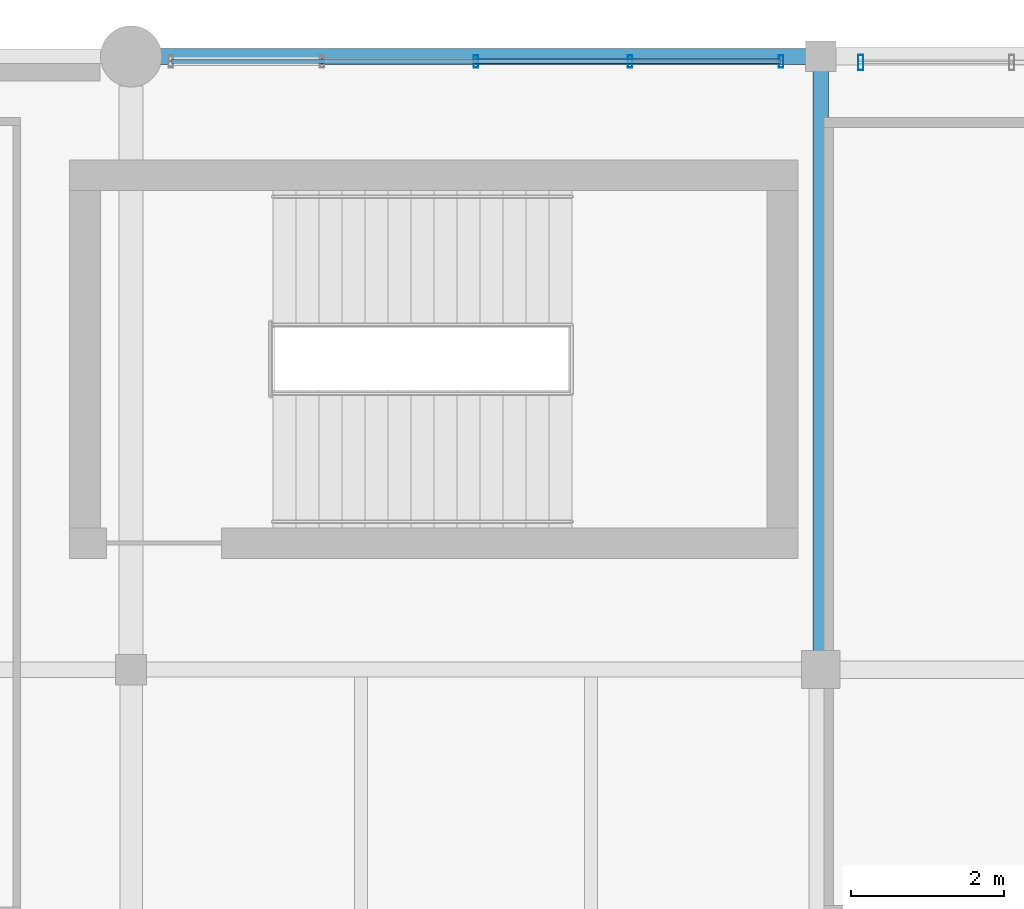
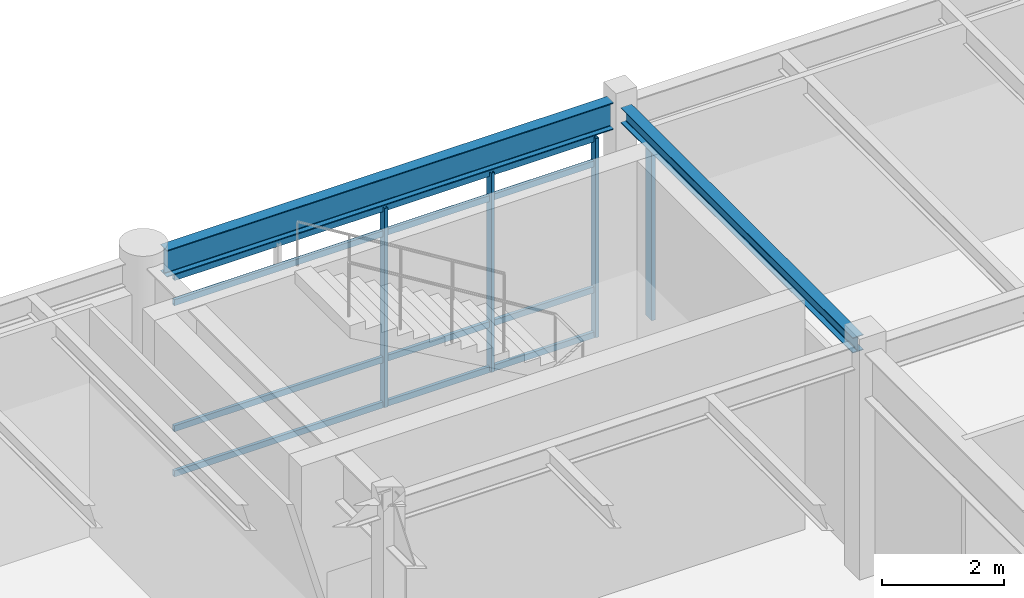
# One storey, part 72 of 200: 8 members, 2 beams, 2 elements without a shape of their own.
"""IFC4 building model written with IfcOpenShell, lengths in metres."""

from ifc_helpers import new_model, si_unit, direction, frame, origin, origin_2d, place, context, subcontext, project, spatial, hollow_rectangle, i_section, extrude, material, material_profile, profile_set, type_object, element, aggregate, save


model = new_model("IFC4")

# Units and contexts
model_context = context("Model", 3, precision=1e-05, world=origin(), true_north=direction((0.0, 1.0)))
body_context = subcontext(model_context, "Body", "Model", "MODEL_VIEW")
ifc_project = project(units=[si_unit("LENGTHUNIT", "METRE"), si_unit("AREAUNIT", "SQUARE_METRE"), si_unit("VOLUMEUNIT", "CUBIC_METRE"), si_unit("PLANEANGLEUNIT", "RADIAN"), si_unit("MASSUNIT", "GRAM", prefix="KILO"), si_unit("THERMODYNAMICTEMPERATUREUNIT", "KELVIN"), si_unit("POWERUNIT", "WATT")], contexts=[model_context])

# Site, building, storey
site_placement = place(None, origin())
site = spatial("IfcSite", under=ifc_project, at=site_placement, CompositionType="ELEMENT")
building_placement = place(site_placement, origin())
building = spatial("IfcBuilding", under=site, at=building_placement, Name="Tepalcoro Natatorium and Aquatics Centre", CompositionType="ELEMENT")
storey_placement = place(building_placement, frame((0.0, 0.0, 5.39990234375)))
storey = spatial("IfcBuildingStorey", under=building, at=storey_placement, Name="L01", CompositionType="ELEMENT", Elevation=5.39990234375)

# Beam
ifc_material_1 = material(Name="Steel ASTM A992 Grade 50 (Fy 345 MPa)", Category="steel")
ifc_material_profile_1 = material_profile(ifc_material_1, i_section(OverallWidth=0.202880859375, OverallDepth=0.304931640625, WebThickness=0.007080078125, FlangeThickness=0.012939453125, FilletRadius=0.013916015625, at=origin_2d()), Name="W12X40")
ifc_profile_set_1 = profile_set([ifc_material_profile_1], Name="Steel ASTM A992 Grade 50 (Fy 345 MPa)")
beam_type_1 = type_object("IfcBeamType", Name="BM_W12x40", PredefinedType="BEAM", material=ifc_profile_set_1)
beam_1_placement = place(storey_placement, frame((62.0, 110.235107421875, 4.33251953125), z_axis=(0.0, 1.0, 0.0), x_axis=(-1.0, 0.0, 0.0)))
element("IfcBeam", 1, at=beam_1_placement, inside=storey, type_object=beam_type_1, Name="V4 L01 Grid Girder Y", PredefinedType="BEAM", context=body_context, shape_type="SweptSolid", body=[
    extrude(i_section(OverallWidth=0.202880859375, OverallDepth=0.304931640625, WebThickness=0.007080078125, FlangeThickness=0.012939453125, FilletRadius=0.013916015625, at=origin_2d()), origin(), (0.0, 0.0, 1.0), 7.579833984375),
])

# Curtain wall, members
ifc_material_2 = material(Name="Bronze-Anodised Extruded Aluminium Alloy EN AW-6063 T6", Category="aluminium")
curtain_wall_type_1 = type_object("IfcCurtainWallType", Name="CW_V2_DIVING", PredefinedType="USERDEFINED", material=ifc_material_2)
curtain_wall_1_placement = place(storey_placement, origin())
curtain_wall_1 = element("IfcCurtainWall", 2, at=curtain_wall_1_placement, inside=storey, type_object=curtain_wall_type_1, Name="V4 L01 N Unitised Curtain Wall Bay 6", ObjectType="FACETED SOLAR GLAZING", PredefinedType="USERDEFINED")
ifc_material_profile_2 = material_profile(ifc_material_2, hollow_rectangle(XDim=0.06005859375, YDim=0.159912109375, WallThickness=0.00390625, at=origin_2d()), Name="AL60X160X4")
ifc_profile_set_2 = profile_set([ifc_material_profile_2], Name="Bronze-Anodised Extruded Aluminium Alloy EN AW-6063 T6")
member_type_1 = type_object("IfcMemberType", Name="CW_MUL_60x160", PredefinedType="MULLION", material=ifc_profile_set_2)
member_1_placement = place(storey_placement, frame((57.5, 117.93505859375, 0.02001953125), z_axis=(0.0, 0.0, 1.0), x_axis=(1.0, 0.0, 0.0)))
member_1 = element("IfcMember", 3, at=member_1_placement, type_object=member_type_1, Name="CW_V2_DIVING Curtain Wall Mullion", PredefinedType="MULLION", context=body_context, shape_type="SweptSolid", body=[
    extrude(hollow_rectangle(XDim=0.06005859375, YDim=0.159912109375, WallThickness=0.00390625, at=origin_2d()), origin(), (0.0, 0.0, 1.0), 3.97412109375),
])
member_2_placement = place(storey_placement, frame((59.510009765625, 117.93505859375, 0.02001953125), z_axis=(0.0, 0.0, 1.0), x_axis=(1.0, 0.0, 0.0)))
member_2 = element("IfcMember", 4, at=member_2_placement, type_object=member_type_1, Name="CW_V2_DIVING Curtain Wall Mullion", PredefinedType="MULLION", context=body_context, shape_type="SweptSolid", body=[
    extrude(hollow_rectangle(XDim=0.06005859375, YDim=0.159912109375, WallThickness=0.00390625, at=origin_2d()), origin(), (0.0, 0.0, 1.0), 3.97412109375),
])
member_3_placement = place(storey_placement, frame((61.47998046875, 117.93505859375, 0.02001953125), z_axis=(0.0, 0.0, 1.0), x_axis=(1.0, 0.0, 0.0)))
member_3 = element("IfcMember", 5, at=member_3_placement, type_object=member_type_1, Name="CW_V2_DIVING Curtain Wall Mullion", PredefinedType="MULLION", context=body_context, shape_type="SweptSolid", body=[
    extrude(hollow_rectangle(XDim=0.06005859375, YDim=0.159912109375, WallThickness=0.00390625, at=origin_2d()), origin(), (0.0, 0.0, 1.0), 3.97412109375),
])

# Curtain wall, member
curtain_wall_type_2 = type_object("IfcCurtainWallType", Name="CW_V3_FOYER", PredefinedType="USERDEFINED", material=ifc_material_2)
curtain_wall_2_placement = place(storey_placement, origin())
curtain_wall_2 = element("IfcCurtainWall", 6, at=curtain_wall_2_placement, inside=storey, type_object=curtain_wall_type_2, Name="V4 L01 N Unitised Curtain Wall Bay 7", ObjectType="UNITISED STOREFRONT", PredefinedType="USERDEFINED")
ifc_material_profile_3 = material_profile(ifc_material_2, hollow_rectangle(XDim=0.070068359375, YDim=0.199951171875, WallThickness=0.0048828125, at=origin_2d()), Name="AL70X200X5")
ifc_profile_set_3 = profile_set([ifc_material_profile_3], Name="Bronze-Anodised Extruded Aluminium Alloy EN AW-6063 T6")
member_type_2 = type_object("IfcMemberType", Name="CW_MUL_70x200", PredefinedType="MULLION", material=ifc_profile_set_3)
member_4_placement = place(storey_placement, frame((62.52001953125, 117.919921875, 0.02001953125), z_axis=(0.0, 0.0, 1.0), x_axis=(1.0, 0.0, 0.0)))
member_4 = element("IfcMember", 7, at=member_4_placement, type_object=member_type_2, Name="CW_V3_FOYER Curtain Wall Mullion", PredefinedType="MULLION", context=body_context, shape_type="SweptSolid", body=[
    extrude(hollow_rectangle(XDim=0.070068359375, YDim=0.199951171875, WallThickness=0.0048828125, at=origin_2d()), origin(), (0.0, 0.0, 1.0), 3.818115234375),
])
aggregate(curtain_wall_2, [member_4])

# Member
ifc_material_profile_4 = material_profile(ifc_material_2, hollow_rectangle(XDim=0.06005859375, YDim=0.1201171875, WallThickness=0.00390625, at=origin_2d()), Name="AL60X120X4")
ifc_profile_set_4 = profile_set([ifc_material_profile_4], Name="Bronze-Anodised Extruded Aluminium Alloy EN AW-6063 T6")
member_type_3 = type_object("IfcMemberType", Name="CW_TRN_60x120", PredefinedType="USERDEFINED", material=ifc_profile_set_4)
member_5_placement = place(storey_placement, frame((53.530029296875, 117.93505859375, 0.050048828125), z_axis=(1.0, 0.0, 0.0), x_axis=(0.0, 1.0, 0.0)))
member_5 = element("IfcMember", 8, at=member_5_placement, type_object=member_type_3, Name="CW_V2_DIVING Curtain Wall Transom", ObjectType="TRANSOM", PredefinedType="USERDEFINED", context=body_context, shape_type="SweptSolid", body=[
    extrude(hollow_rectangle(XDim=0.06005859375, YDim=0.1201171875, WallThickness=0.00390625, at=origin_2d()), origin(), (0.0, 0.0, 1.0), 7.93994140625),
])

member_6_placement = place(storey_placement, frame((53.530029296875, 117.93505859375, 0.9501953125), z_axis=(1.0, 0.0, 0.0), x_axis=(0.0, 1.0, 0.0)))
member_6 = element("IfcMember", 9, at=member_6_placement, type_object=member_type_3, Name="CW_V2_DIVING Curtain Wall Transom", ObjectType="TRANSOM", PredefinedType="USERDEFINED", context=body_context, shape_type="SweptSolid", body=[
    extrude(hollow_rectangle(XDim=0.06005859375, YDim=0.1201171875, WallThickness=0.00390625, at=origin_2d()), origin(), (0.0, 0.0, 1.0), 7.93994140625),
])

member_7_placement = place(storey_placement, frame((53.530029296875, 117.93505859375, 3.464111328125), z_axis=(1.0, 0.0, 0.0), x_axis=(0.0, 1.0, 0.0)))
member_7 = element("IfcMember", 10, at=member_7_placement, type_object=member_type_3, Name="CW_V2_DIVING Curtain Wall Transom", ObjectType="TRANSOM", PredefinedType="USERDEFINED", context=body_context, shape_type="SweptSolid", body=[
    extrude(hollow_rectangle(XDim=0.06005859375, YDim=0.1201171875, WallThickness=0.00390625, at=origin_2d()), origin(), (0.0, 0.0, 1.0), 7.93994140625),
])

member_8_placement = place(storey_placement, frame((53.530029296875, 117.93505859375, 3.964111328125), z_axis=(1.0, 0.0, 0.0), x_axis=(0.0, 1.0, 0.0)))
member_8 = element("IfcMember", 11, at=member_8_placement, type_object=member_type_3, Name="CW_V2_DIVING Curtain Wall Transom", ObjectType="TRANSOM", PredefinedType="USERDEFINED", context=body_context, shape_type="SweptSolid", body=[
    extrude(hollow_rectangle(XDim=0.06005859375, YDim=0.1201171875, WallThickness=0.00390625, at=origin_2d()), origin(), (0.0, 0.0, 1.0), 7.93994140625),
])

aggregate(curtain_wall_1, [member_1, member_2, member_3, member_5, member_6, member_7, member_8])

# Beam
ifc_material_profile_5 = material_profile(ifc_material_1, i_section(OverallWidth=0.2099609375, OverallDepth=0.535888671875, WebThickness=0.010986328125, FlangeThickness=0.01708984375, FilletRadius=0.013916015625, at=origin_2d()), Name="W21X68")
ifc_profile_set_5 = profile_set([ifc_material_profile_5], Name="Steel ASTM A992 Grade 50 (Fy 345 MPa)")
beam_type_2 = type_object("IfcBeamType", Name="SP_W21x68", PredefinedType="SPANDREL", material=ifc_profile_set_5)
beam_2_placement = place(storey_placement, frame((53.385009765625, 118.0, 4.297119140625), z_axis=(1.0, 0.0, 0.0), x_axis=(0.0, 1.0, 0.0)))
element("IfcBeam", 12, at=beam_2_placement, inside=storey, type_object=beam_type_2, Name="V4 L01 Grid Girder X", PredefinedType="SPANDREL", context=body_context, shape_type="SweptSolid", body=[
    extrude(i_section(OverallWidth=0.2099609375, OverallDepth=0.535888671875, WebThickness=0.010986328125, FlangeThickness=0.01708984375, FilletRadius=0.013916015625, at=origin_2d()), origin(), (0.0, 0.0, 1.0), 8.429931640625),
])

save(model, "model.ifc")
